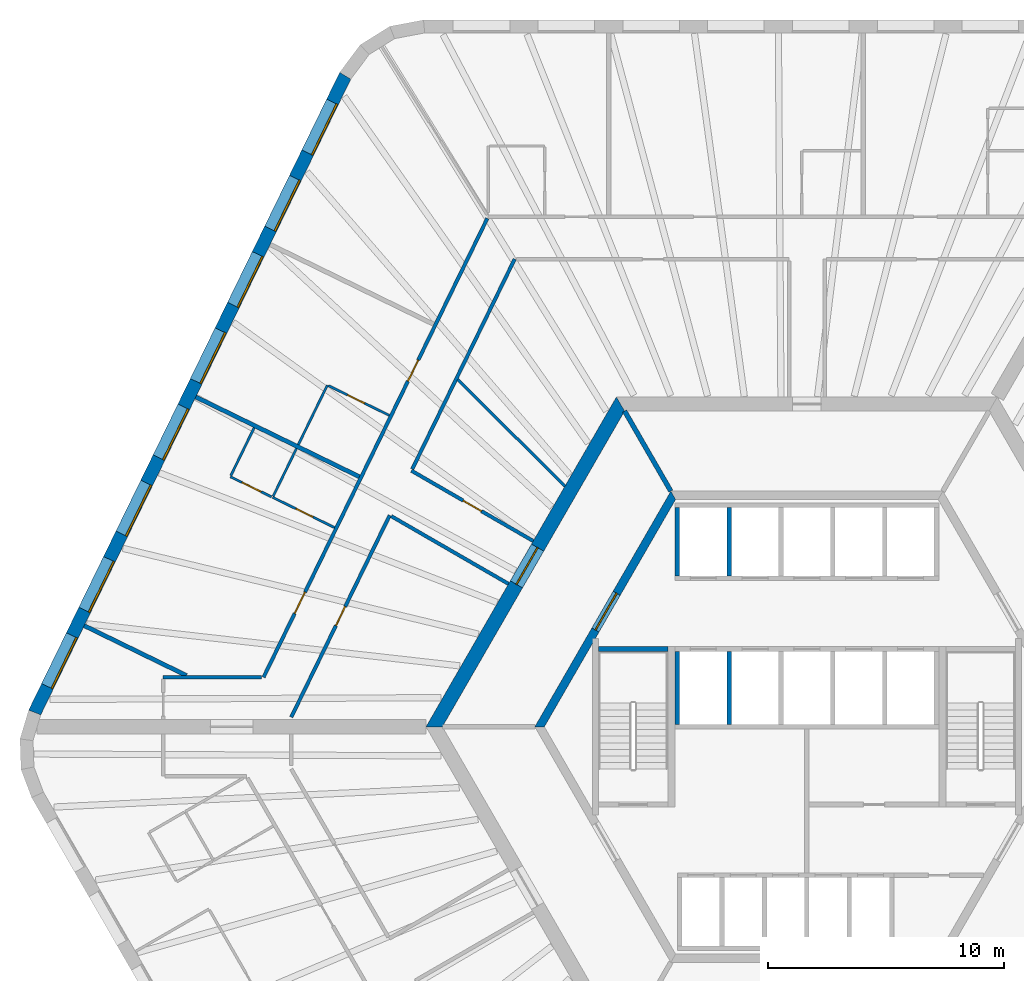
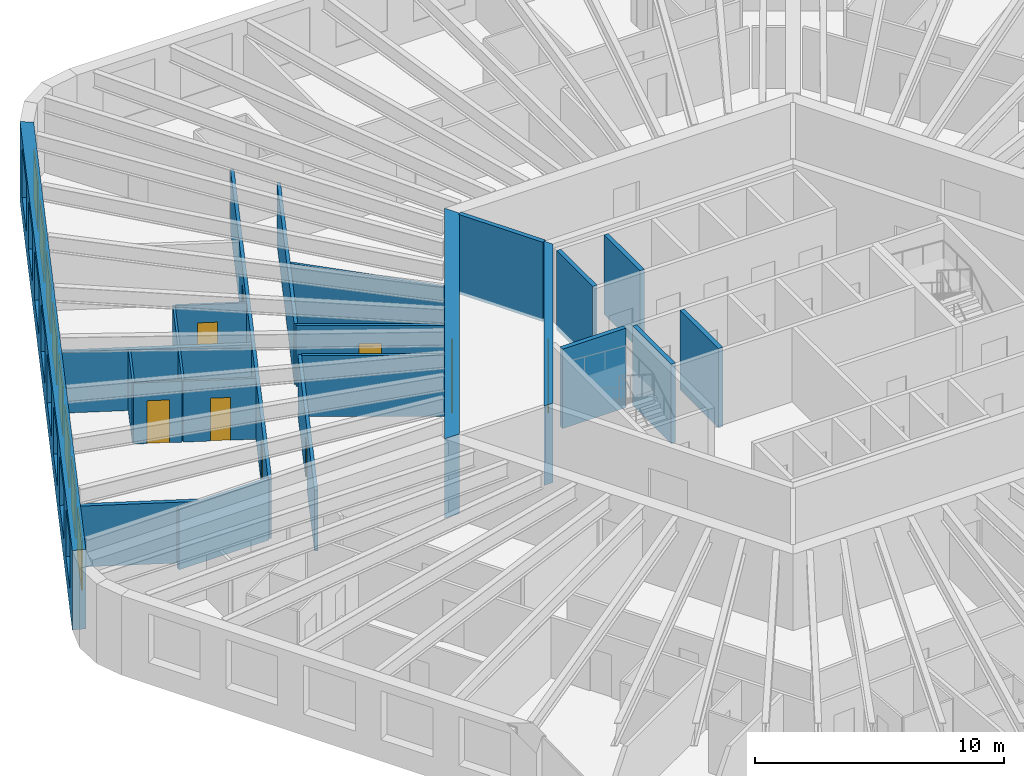
# One storey, part 7 of 12: 24 walls, 9 doors, 8 windows, 17 openings.
"""IFC4 building model written with IfcOpenShell, lengths in metres."""

from ifc_helpers import new_model, si_unit, direction, frame, frame_2d, origin, place, context, subcontext, project, spatial, polyline, rectangle, outline, extrude, material, layer, layer_set, type_object, element, fill, save


model = new_model("IFC4")

# Units and contexts
model_context = context("Model", 3, precision=1e-05, world=origin(), true_north=direction((0.0, 1.0)))
body_context = subcontext(model_context, "Body", "Model", "MODEL_VIEW")
ifc_project = project(units=[si_unit("LENGTHUNIT", "METRE"), si_unit("AREAUNIT", "SQUARE_METRE"), si_unit("VOLUMEUNIT", "CUBIC_METRE"), si_unit("PLANEANGLEUNIT", "RADIAN"), si_unit("MASSUNIT", "GRAM", prefix="KILO")], contexts=[model_context])

# Site, building, storey
site_placement = place(None, origin())
site = spatial("IfcSite", under=ifc_project, at=site_placement, CompositionType="ELEMENT")
building_placement = place(site_placement, origin())
building = spatial("IfcBuilding", under=site, at=building_placement, Name="Tarnside Tower", CompositionType="ELEMENT")
storey_placement = place(building_placement, frame((0.0, 0.0, 84.300048828125)))
storey = spatial("IfcBuildingStorey", under=building, at=storey_placement, Name="L18", CompositionType="ELEMENT", Elevation=84.300048828125)

# Wall
ifc_material_1 = material(Name="Gypsum board partition on steel studs", Category="steel")
ifc_layer_1 = layer(ifc_material_1, 0.10009765625)
ifc_layer_set_1 = layer_set([ifc_layer_1], Name="Bathroom wall 100")
wall_type_1 = type_object("IfcWallType", Name="Bathroom wall 100", PredefinedType="PARTITIONING", material=ifc_layer_set_1)
wall_1_placement = place(storey_placement, frame((-21.5849609375, 11.975341796875, 0.0), z_axis=(0.0, 0.0, 1.0), x_axis=(0.438399667674, 0.898780135174, 0.0)))
element("IfcWall", 1, at=wall_1_placement, inside=storey, type_object=wall_type_1, Name="Bathroom wall 05095", PredefinedType="PARTITIONING", context=body_context, shape_type="SweptSolid", body=[
    extrude(rectangle(XDim=2.81005859375, YDim=0.10009765625, at=frame_2d((1.405029296875, 0.0))), origin(), (0.0, 0.0, 1.0), 2.98779296875),
])

# Wall, opening, door
wall_2_placement = place(storey_placement, frame((-20.30810546875, 14.47900390625, 0.0), z_axis=(0.0, 0.0, 1.0), x_axis=(0.898799457159, -0.438360052708, 0.0)))
wall_2 = element("IfcWall", 2, at=wall_2_placement, inside=storey, type_object=wall_type_1, Name="Bathroom wall 05096", PredefinedType="PARTITIONING", context=body_context, shape_type="SweptSolid", body=[
    extrude(rectangle(XDim=2.875, YDim=0.10009765625, at=frame_2d((1.4375, 0.0))), origin(), (0.0, 0.0, 1.0), 2.98779296875),
])
opening_1_placement = place(wall_2_placement, frame((0.89990234375, 0.0, 0.0)))
opening_1 = element("IfcOpeningElement", 3, at=opening_1_placement, cuts=wall_2, Name="Opening D-B1", PredefinedType="OPENING", context=body_context, shape_type="SweptSolid", body=[
    extrude(rectangle(XDim=0.800048828125, YDim=2.10009765625, at=frame_2d((0.39990234375, 1.050048828125))), frame((0.0, 0.06005859375, 0.0), z_axis=(0.0, -1.0, 0.0), x_axis=(1.0, 0.0, 0.0)), (0.0, 0.0, 1.0), 0.1201171875),
])
ifc_material_2 = material(Name="Timber door leaf", Category="wood")
door_type_1 = type_object("IfcDoorType", Name="Bathroom door 800", OperationType="NOTDEFINED", PredefinedType="DOOR", material=ifc_material_2)
door_1_placement = place(opening_1_placement, origin())
door_1 = element("IfcDoor", 4, at=door_1_placement, inside=storey, type_object=door_type_1, Name="Bathroom door 05010", OperationType="SINGLE_SWING_RIGHT", OverallHeight=2.10009765625, OverallWidth=0.800048828125, PredefinedType="DOOR", context=body_context, shape_type="SweptSolid", body=[
    extrude(rectangle(XDim=0.800048828125, YDim=2.10009765625, at=frame_2d((0.39990234375, 1.050048828125))), frame((0.0, 0.02490234375, 0.0), z_axis=(0.0, -1.0, 0.0), x_axis=(1.0, 0.0, 0.0)), (0.0, 0.0, 1.0), 0.050048828125),
])
fill(opening_1, door_1)

wall_3_placement = place(storey_placement, frame((-20.04736328125, 8.455078125, 0.0), z_axis=(0.0, 0.0, 1.0), x_axis=(-0.89880694479, 0.438344699976, 0.0)))
wall_3 = element("IfcWall", 5, at=wall_3_placement, inside=storey, type_object=wall_type_1, Name="Bathroom wall 05100", PredefinedType="PARTITIONING", context=body_context, shape_type="SweptSolid", body=[
    extrude(rectangle(XDim=2.925048828125, YDim=0.10009765625, at=frame_2d((1.46240234375, 0.0))), origin(), (0.0, 0.0, 1.0), 2.98779296875),
])
opening_2_placement = place(wall_3_placement, frame((1.02490234375, 0.0, 0.0)))
opening_2 = element("IfcOpeningElement", 6, at=opening_2_placement, cuts=wall_3, Name="Opening D-B1", PredefinedType="OPENING", context=body_context, shape_type="SweptSolid", body=[
    extrude(rectangle(XDim=0.800048828125, YDim=2.10009765625, at=frame_2d((0.39990234375, 1.050048828125))), frame((0.0, 0.06005859375, 0.0), z_axis=(0.0, -1.0, 0.0), x_axis=(1.0, 0.0, 0.0)), (0.0, 0.0, 1.0), 0.1201171875),
])
door_2_placement = place(opening_2_placement, origin())
door_2 = element("IfcDoor", 7, at=door_2_placement, inside=storey, type_object=door_type_1, Name="Bathroom door 05012", OperationType="SINGLE_SWING_RIGHT", OverallHeight=2.10009765625, OverallWidth=0.800048828125, PredefinedType="DOOR", context=body_context, shape_type="SweptSolid", body=[
    extrude(rectangle(XDim=0.800048828125, YDim=2.10009765625, at=frame_2d((0.39990234375, 1.050048828125))), frame((0.0, 0.02490234375, 0.0), z_axis=(0.0, -1.0, 0.0), x_axis=(1.0, 0.0, 0.0)), (0.0, 0.0, 1.0), 0.050048828125),
])
fill(opening_2, door_2)

# Wall
wall_4_placement = place(storey_placement, frame((-21.663818359375, 11.8134765625, 0.0), z_axis=(0.0, 0.0, 1.0), x_axis=(-0.438376807268, -0.898791285477, 0.0)))
element("IfcWall", 8, at=wall_4_placement, inside=storey, type_object=wall_type_1, Name="Bathroom wall 05104", PredefinedType="PARTITIONING", context=body_context, shape_type="SweptSolid", body=[
    extrude(rectangle(XDim=2.260009765625, YDim=0.10009765625, at=frame_2d((1.1298828125, 0.0))), origin(), (0.0, 0.0, 1.0), 2.98779296875),
])

# Wall, opening, door
ifc_material_3 = material(Name="Concrete C50/60", Category="concrete")
ifc_layer_2 = layer(ifc_material_3, 0.35009765625)
ifc_layer_set_2 = layer_set([ifc_layer_2], Name="Core block wall 350 C50/60")
wall_type_2 = type_object("IfcWallType", Name="Core block wall 350 C50/60", PredefinedType="SHEAR", material=ifc_layer_set_2)
wall_5_placement = place(storey_placement, frame((-5.672607421875, 9.824951171875, -0.150146484375), z_axis=(0.0, 0.0, 1.0), x_axis=(-0.499995046907, -0.866028263435, 0.0)))
wall_5 = element("IfcWall", 9, at=wall_5_placement, inside=storey, type_object=wall_type_2, Name="L18 core block wall face 2", PredefinedType="SHEAR", context=body_context, shape_type="SweptSolid", body=[
    extrude(outline(polyline([(-0.10107421875, -0.175048828125), (11.44580078125, -0.175048828125), (11.24365234375, 0.175048828125), (0.10107421875, 0.175048828125), (-0.10107421875, -0.175048828125)])), origin(), (0.0, 0.0, 1.0), 3.900146484375),
])
opening_3_placement = place(wall_5_placement, frame((4.80126953125, 0.0, 0.14990234375)))
opening_3 = element("IfcOpeningElement", 10, at=opening_3_placement, cuts=wall_5, Name="Opening CD-LOB", PredefinedType="OPENING", context=body_context, shape_type="SweptSolid", body=[
    extrude(rectangle(XDim=1.800048828125, YDim=2.39990234375, at=frame_2d((0.89990234375, 1.199951171875))), frame((0.0, 0.18505859375, 0.0), z_axis=(0.0, -1.0, 0.0), x_axis=(1.0, 0.0, 0.0)), (0.0, 0.0, 1.0), 0.3701171875),
])
ifc_material_4 = material(Name="Steel fire door", Category="steel")
door_type_2 = type_object("IfcDoorType", Name="Lobby double door FD30S 1800x2400", OperationType="NOTDEFINED", PredefinedType="DOOR", material=ifc_material_4)
door_3_placement = place(opening_3_placement, origin())
door_3 = element("IfcDoor", 11, at=door_3_placement, inside=storey, type_object=door_type_2, Name="L18 lobby block door P1", OperationType="DOUBLE_DOOR_SINGLE_SWING", OverallHeight=2.39990234375, OverallWidth=1.800048828125, PredefinedType="DOOR", context=body_context, shape_type="SweptSolid", body=[
    extrude(rectangle(XDim=1.800048828125, YDim=2.39990234375, at=frame_2d((0.89990234375, 1.199951171875))), frame((0.0, 0.02490234375, 0.0), z_axis=(0.0, -1.0, 0.0), x_axis=(1.0, 0.0, 0.0)), (0.0, 0.0, 1.0), 0.050048828125),
])
fill(opening_3, door_3)

ifc_material_5 = material(Name="Concrete C80/95", Category="concrete")
ifc_layer_3 = layer(ifc_material_5, 0.60009765625)
ifc_layer_set_3 = layer_set([ifc_layer_3], Name="Core wall Z1 600 C80/95")
wall_type_3 = type_object("IfcWallType", Name="Core wall Z1 600 C80/95", PredefinedType="SHEAR", material=ifc_layer_set_3)
wall_6_placement = place(storey_placement, frame((-7.90966796875, 13.699951171875, -0.150146484375), z_axis=(0.0, 0.0, 1.0), x_axis=(-0.499999880136, -0.866025472988, 0.0)))
wall_6 = element("IfcWall", 12, at=wall_6_placement, inside=storey, type_object=wall_type_3, Name="L18 core wall face 2", PredefinedType="SHEAR", context=body_context, shape_type="SweptSolid", body=[
    extrude(outline(polyline([(-0.17333984375, -0.300048828125), (15.99267578125, -0.300048828125), (15.64599609375, 0.300048828125), (0.17333984375, 0.300048828125), (-0.17333984375, -0.300048828125)])), origin(), (0.0, 0.0, 1.0), 3.900146484375),
])
opening_4_placement = place(wall_6_placement, frame((7.03857421875, 0.0, 0.14990234375)))
opening_4 = element("IfcOpeningElement", 13, at=opening_4_placement, cuts=wall_6, Name="Opening CD-LOB", PredefinedType="OPENING", context=body_context, shape_type="SweptSolid", body=[
    extrude(rectangle(XDim=1.800048828125, YDim=2.39990234375, at=frame_2d((0.89990234375, 1.199951171875))), frame((0.0, 0.31005859375, 0.0), z_axis=(0.0, -1.0, 0.0), x_axis=(1.0, 0.0, 0.0)), (0.0, 0.0, 1.0), 0.6201171875),
])
door_4_placement = place(opening_4_placement, origin())
door_4 = element("IfcDoor", 14, at=door_4_placement, inside=storey, type_object=door_type_2, Name="L18 core door P1", OperationType="DOUBLE_DOOR_SINGLE_SWING", OverallHeight=2.39990234375, OverallWidth=1.800048828125, PredefinedType="DOOR", context=body_context, shape_type="SweptSolid", body=[
    extrude(rectangle(XDim=1.800048828125, YDim=2.39990234375, at=frame_2d((0.89990234375, 1.199951171875))), frame((0.0, 0.02490234375, 0.0), z_axis=(0.0, -1.0, 0.0), x_axis=(1.0, 0.0, 0.0)), (0.0, 0.0, 1.0), 0.050048828125),
])
fill(opening_4, door_4)

# Wall, openings, doors
ifc_layer_4 = layer(ifc_material_1, 0.14990234375)
ifc_layer_set_4 = layer_set([ifc_layer_4], Name="Corridor wall 150 EI 60")
wall_type_4 = type_object("IfcWallType", Name="Corridor wall 150 EI 60", PredefinedType="PARTITIONING", material=ifc_layer_set_4)
wall_7_placement = place(storey_placement, frame((-13.56494140625, 21.574951171875, 0.0), z_axis=(0.0, 0.0, 1.0), x_axis=(-0.438380787243, -0.898789344272, 0.0)))
wall_7 = element("IfcWall", 15, at=wall_7_placement, inside=storey, type_object=wall_type_4, Name="Corridor wall 05009", PredefinedType="PARTITIONING", context=body_context, shape_type="SweptSolid", body=[
    extrude(rectangle(XDim=21.66796875, YDim=0.14990234375, at=frame_2d((10.833984375, 0.0))), origin(), (0.0, 0.0, 1.0), 2.98779296875),
])
opening_5_placement = place(wall_7_placement, frame((6.683837890625, 0.0, 0.0)))
opening_5 = element("IfcOpeningElement", 16, at=opening_5_placement, cuts=wall_7, Name="Opening D-E1", PredefinedType="OPENING", context=body_context, shape_type="SweptSolid", body=[
    extrude(rectangle(XDim=1.0, YDim=2.10009765625, at=frame_2d((0.5, 1.050048828125))), frame((0.0, 0.0849609375, 0.0), z_axis=(0.0, -1.0, 0.0), x_axis=(1.0, 0.0, 0.0)), (0.0, 0.0, 1.0), 0.169921875),
])
opening_6_placement = place(wall_7_placement, frame((17.65087890625, 0.0, 0.0)))
opening_6 = element("IfcOpeningElement", 17, at=opening_6_placement, cuts=wall_7, Name="Opening D-E1", PredefinedType="OPENING", context=body_context, shape_type="SweptSolid", body=[
    extrude(rectangle(XDim=1.0, YDim=2.10009765625, at=frame_2d((0.5, 1.050048828125))), frame((0.0, 0.0849609375, 0.0), z_axis=(0.0, -1.0, 0.0), x_axis=(1.0, 0.0, 0.0)), (0.0, 0.0, 1.0), 0.169921875),
])
door_type_3 = type_object("IfcDoorType", Name="Unit entrance door 1000 FD30S", OperationType="NOTDEFINED", PredefinedType="DOOR", material=ifc_material_2)
door_5_placement = place(opening_5_placement, origin())
door_5 = element("IfcDoor", 18, at=door_5_placement, inside=storey, type_object=door_type_3, Name="Unit door 05009", OperationType="SINGLE_SWING_LEFT", OverallHeight=2.10009765625, OverallWidth=1.0, PredefinedType="DOOR", context=body_context, shape_type="SweptSolid", body=[
    extrude(rectangle(XDim=1.0, YDim=2.10009765625, at=frame_2d((0.5, 1.050048828125))), frame((0.0, 0.02490234375, 0.0), z_axis=(0.0, -1.0, 0.0), x_axis=(1.0, 0.0, 0.0)), (0.0, 0.0, 1.0), 0.050048828125),
])
fill(opening_5, door_5)
door_6_placement = place(opening_6_placement, origin())
door_6 = element("IfcDoor", 19, at=door_6_placement, inside=storey, type_object=door_type_3, Name="Unit door 05011", OperationType="SINGLE_SWING_LEFT", OverallHeight=2.10009765625, OverallWidth=1.0, PredefinedType="DOOR", context=body_context, shape_type="SweptSolid", body=[
    extrude(rectangle(XDim=1.0, YDim=2.10009765625, at=frame_2d((0.5, 1.050048828125))), frame((0.0, 0.02490234375, 0.0), z_axis=(0.0, -1.0, 0.0), x_axis=(1.0, 0.0, 0.0)), (0.0, 0.0, 1.0), 0.050048828125),
])
fill(opening_6, door_6)

# Walls
wall_8_placement = place(storey_placement, frame((-23.14697265625, 2.10009765625, 0.0), z_axis=(0.0, 0.0, 1.0), x_axis=(-1.0, 0.0, 0.0)))
element("IfcWall", 20, at=wall_8_placement, inside=storey, type_object=wall_type_4, Name="Corridor wall 05013", PredefinedType="PARTITIONING", context=body_context, shape_type="SweptSolid", body=[
    extrude(rectangle(XDim=4.17333984375, YDim=0.14990234375, at=frame_2d((2.086669921875, 0.0))), origin(), (0.0, 0.0, 1.0), 2.98779296875),
])
wall_9_placement = place(storey_placement, frame((-16.7509765625, 10.936767578125, 0.0), z_axis=(0.0, 0.0, 1.0), x_axis=(0.438378523504, 0.898790448397, 0.0)))
element("IfcWall", 21, at=wall_9_placement, inside=storey, type_object=wall_type_4, Name="Corridor wall 05017", PredefinedType="PARTITIONING", context=body_context, shape_type="SweptSolid", body=[
    extrude(rectangle(XDim=9.9169921875, YDim=0.14990234375, at=frame_2d((4.95849609375, 0.0))), origin(), (0.0, 0.0, 1.0), 2.98779296875),
])

# Wall, opening, door
wall_10_placement = place(storey_placement, frame((-11.61376953125, 7.88427734375, 0.0), z_axis=(0.0, 0.0, 1.0), x_axis=(-0.86603508376, 0.499983233416, 0.0)))
wall_10 = element("IfcWall", 22, at=wall_10_placement, inside=storey, type_object=wall_type_4, Name="Corridor wall 05020", PredefinedType="PARTITIONING", context=body_context, shape_type="SweptSolid", body=[
    extrude(rectangle(XDim=5.969970703125, YDim=0.14990234375, at=frame_2d((2.98486328125, 0.0))), origin(), (0.0, 0.0, 1.0), 2.98779296875),
])
opening_7_placement = place(wall_10_placement, frame((2.534912109375, 0.0, 0.0)))
opening_7 = element("IfcOpeningElement", 23, at=opening_7_placement, cuts=wall_10, Name="Opening D-S1", PredefinedType="OPENING", context=body_context, shape_type="SweptSolid", body=[
    extrude(rectangle(XDim=0.89990234375, YDim=2.10009765625, at=frame_2d((0.449951171875, 1.050048828125))), frame((0.0, 0.0849609375, 0.0), z_axis=(0.0, -1.0, 0.0), x_axis=(1.0, 0.0, 0.0)), (0.0, 0.0, 1.0), 0.169921875),
])
door_type_4 = type_object("IfcDoorType", Name="Service room door 900 FD30S", OperationType="NOTDEFINED", PredefinedType="DOOR", material=ifc_material_2)
door_7_placement = place(opening_7_placement, origin())
door_7 = element("IfcDoor", 24, at=door_7_placement, inside=storey, type_object=door_type_4, Name="Service door 05042", OperationType="SINGLE_SWING_RIGHT", OverallHeight=2.10009765625, OverallWidth=0.89990234375, PredefinedType="DOOR", context=body_context, shape_type="SweptSolid", body=[
    extrude(rectangle(XDim=0.89990234375, YDim=2.10009765625, at=frame_2d((0.449951171875, 1.050048828125))), frame((0.0, 0.02490234375, 0.0), z_axis=(0.0, -1.0, 0.0), x_axis=(1.0, 0.0, 0.0)), (0.0, 0.0, 1.0), 0.050048828125),
])
fill(opening_7, door_7)

wall_11_placement = place(storey_placement, frame((-21.88525390625, 0.41015625, 0.0), z_axis=(0.0, 0.0, 1.0), x_axis=(0.43837064471, 0.898794291179, 0.0)))
wall_11 = element("IfcWall", 25, at=wall_11_placement, inside=storey, type_object=wall_type_4, Name="Corridor wall 05025", PredefinedType="PARTITIONING", context=body_context, shape_type="SweptSolid", body=[
    extrude(rectangle(XDim=9.53173828125, YDim=0.14990234375, at=frame_2d((4.765869140625, 0.0))), origin(), (0.0, 0.0, 1.0), 2.98779296875),
])
opening_8_placement = place(wall_11_placement, frame((4.31591796875, 0.0, 0.0)))
opening_8 = element("IfcOpeningElement", 26, at=opening_8_placement, cuts=wall_11, Name="Opening D-S1", PredefinedType="OPENING", context=body_context, shape_type="SweptSolid", body=[
    extrude(rectangle(XDim=0.89990234375, YDim=2.10009765625, at=frame_2d((0.449951171875, 1.050048828125))), frame((0.0, 0.0849609375, 0.0), z_axis=(0.0, -1.0, 0.0), x_axis=(1.0, 0.0, 0.0)), (0.0, 0.0, 1.0), 0.169921875),
])
door_8_placement = place(opening_8_placement, origin())
door_8 = element("IfcDoor", 27, at=door_8_placement, inside=storey, type_object=door_type_4, Name="Service door 05044", OperationType="SINGLE_SWING_RIGHT", OverallHeight=2.10009765625, OverallWidth=0.89990234375, PredefinedType="DOOR", context=body_context, shape_type="SweptSolid", body=[
    extrude(rectangle(XDim=0.89990234375, YDim=2.10009765625, at=frame_2d((0.449951171875, 1.050048828125))), frame((0.0, 0.02490234375, 0.0), z_axis=(0.0, -1.0, 0.0), x_axis=(1.0, 0.0, 0.0)), (0.0, 0.0, 1.0), 0.050048828125),
])
fill(opening_8, door_8)

# Walls
wall_12_placement = place(storey_placement, frame((-17.6416015625, 8.939697265625, 0.0), z_axis=(0.0, 0.0, 1.0), x_axis=(0.866017948234, -0.500012913169, 0.0)))
element("IfcWall", 28, at=wall_12_placement, inside=storey, type_object=wall_type_4, Name="Corridor wall 05026", PredefinedType="PARTITIONING", context=body_context, shape_type="SweptSolid", body=[
    extrude(rectangle(XDim=5.747802734375, YDim=0.14990234375, at=frame_2d((2.8740234375, 0.0))), origin(), (0.0, 0.0, 1.0), 2.98779296875),
])
ifc_layer_5 = layer(ifc_material_1, 0.179931640625)
ifc_layer_set_5 = layer_set([ifc_layer_5], Name="Demising wall 180 EI 60")
wall_type_5 = type_object("IfcWallType", Name="Demising wall 180 EI 60", PredefinedType="PARTITIONING", material=ifc_layer_set_5)
wall_13_placement = place(storey_placement, frame((-25.9384765625, 13.99853515625, 0.0), z_axis=(0.0, 0.0, 1.0), x_axis=(0.898789402655, -0.438380667542, 0.0)))
element("IfcWall", 29, at=wall_13_placement, inside=storey, type_object=wall_type_5, Name="Demising wall 05097", PredefinedType="PARTITIONING", context=body_context, shape_type="SweptSolid", body=[
    extrude(rectangle(XDim=7.724853515625, YDim=0.179931640625, at=frame_2d((3.8623046875, 0.0))), origin(), (0.0, 0.0, 1.0), 2.98779296875),
])
wall_14_placement = place(storey_placement, frame((-30.673095703125, 4.29150390625, 0.0), z_axis=(0.0, 0.0, 1.0), x_axis=(0.898812662672, -0.438332975512, 0.0)))
element("IfcWall", 30, at=wall_14_placement, inside=storey, type_object=wall_type_5, Name="Demising wall 05103", PredefinedType="PARTITIONING", context=body_context, shape_type="SweptSolid", body=[
    extrude(rectangle(XDim=4.828369140625, YDim=0.179931640625, at=frame_2d((2.4140625, 0.0))), origin(), (0.0, 0.0, 1.0), 2.98779296875),
])
ifc_material_6 = material(Name="Concrete C40/50", Category="concrete")
ifc_layer_6 = layer(ifc_material_6, 0.199951171875)
ifc_layer_set_6 = layer_set([ifc_layer_6], Name="Lift shaft wall 200 C40/50")
wall_type_6 = type_object("IfcWallType", Name="Lift shaft wall 200 C40/50", PredefinedType="SHEAR", material=ifc_layer_set_6)
for number, where, z_axis, x_axis, name in (
    (31, (-5.5, 6.39990234375, -0.25), (0.0, 0.0, 1.0), (0.0, 1.0, 0.0), "L18 lift shaft partition R11"),
    (32, (-3.300048828125, 6.39990234375, -0.25), (0.0, 0.0, 1.0), (0.0, 1.0, 0.0), "L18 lift shaft partition R12"),
):
    element("IfcWall", number, at=place(storey_placement, frame(where, z_axis=z_axis, x_axis=x_axis)), inside=storey, type_object=wall_type_6, Name=name, PredefinedType="SHEAR", context=body_context, shape_type="SweptSolid", body=[
        extrude(rectangle(XDim=2.900146484375, YDim=0.199951171875, at=frame_2d((1.4501953125, 0.0))), origin(), (0.0, 0.0, 1.0), 3.89990234375),
    ])
for number, where, z_axis, x_axis, name in (
    (33, (-5.5, 0.10009765625, -0.25), (0.0, 0.0, 1.0), (0.0, 1.0, 0.0), "L18 lift shaft partition R21"),
    (34, (-3.300048828125, 0.10009765625, -0.25), (0.0, 0.0, 1.0), (0.0, 1.0, 0.0), "L18 lift shaft partition R22"),
):
    element("IfcWall", number, at=place(storey_placement, frame(where, z_axis=z_axis, x_axis=x_axis)), inside=storey, type_object=wall_type_6, Name=name, PredefinedType="SHEAR", context=body_context, shape_type="SweptSolid", body=[
        extrude(rectangle(XDim=3.099853515625, YDim=0.199951171875, at=frame_2d((1.5498046875, 0.0))), origin(), (0.0, 0.0, 1.0), 3.89990234375),
    ])
wall_15_placement = place(storey_placement, frame((-5.7734375, 10.0, -0.150146484375), z_axis=(0.0, 0.0, 1.0), x_axis=(-0.500038251005, 0.86600331843, 0.0)))
element("IfcWall", 35, at=wall_15_placement, inside=storey, type_object=wall_type_6, Name="L18 core partition AR120", PredefinedType="SHEAR", context=body_context, shape_type="SweptSolid", body=[
    extrude(rectangle(XDim=3.926025390625, YDim=0.199951171875, at=frame_2d((1.962890625, 0.0))), origin(), (0.0, 0.0, 1.0), 3.900146484375),
])
wall_16_placement = place(storey_placement, frame((-8.85009765625, 3.300048828125, -0.25), z_axis=(0.0, 0.0, 1.0), x_axis=(1.0, 0.0, 0.0)))
element("IfcWall", 36, at=wall_16_placement, inside=storey, type_object=wall_type_6, Name="L18 stair 2 enclosure cap wall n", PredefinedType="SHEAR", context=body_context, shape_type="SweptSolid", body=[
    extrude(rectangle(XDim=2.9501953125, YDim=0.199951171875, at=frame_2d((1.47509765625, 0.0))), origin(), (0.0, 0.0, 1.0), 3.89990234375),
])

# Wall, opening, door
ifc_layer_7 = layer(ifc_material_1, 0.10009765625)
ifc_layer_set_7 = layer_set([ifc_layer_7], Name="Partition 100")
wall_type_7 = type_object("IfcWallType", Name="Partition 100", PredefinedType="PARTITIONING", material=ifc_layer_set_7)
wall_17_placement = place(storey_placement, frame((-22.721435546875, 9.75927734375, 0.0), z_axis=(0.0, 0.0, 1.0), x_axis=(-0.898815368173, 0.438327427772, 0.0)))
wall_17 = element("IfcWall", 37, at=wall_17_placement, inside=storey, type_object=wall_type_7, Name="Partition wall 05101", PredefinedType="PARTITIONING", context=body_context, shape_type="SweptSolid", body=[
    extrude(rectangle(XDim=1.949951171875, YDim=0.10009765625, at=frame_2d((0.97509765625, 0.0))), origin(), (0.0, 0.0, 1.0), 2.98779296875),
])
opening_9_placement = place(wall_17_placement, frame((0.5, 0.0, 0.0)))
opening_9 = element("IfcOpeningElement", 38, at=opening_9_placement, cuts=wall_17, Name="Opening D-I1", PredefinedType="OPENING", context=body_context, shape_type="SweptSolid", body=[
    extrude(rectangle(XDim=0.89990234375, YDim=2.10009765625, at=frame_2d((0.449951171875, 1.050048828125))), frame((0.0, 0.06005859375, 0.0), z_axis=(0.0, -1.0, 0.0), x_axis=(1.0, 0.0, 0.0)), (0.0, 0.0, 1.0), 0.1201171875),
])
door_type_5 = type_object("IfcDoorType", Name="Internal door 900", OperationType="NOTDEFINED", PredefinedType="DOOR", material=ifc_material_2)
door_9_placement = place(opening_9_placement, origin())
door_9 = element("IfcDoor", 39, at=door_9_placement, inside=storey, type_object=door_type_5, Name="Internal door 05013", OperationType="SINGLE_SWING_RIGHT", OverallHeight=2.10009765625, OverallWidth=0.89990234375, PredefinedType="DOOR", context=body_context, shape_type="SweptSolid", body=[
    extrude(rectangle(XDim=0.89990234375, YDim=2.10009765625, at=frame_2d((0.449951171875, 1.050048828125))), frame((0.0, 0.02490234375, 0.0), z_axis=(0.0, -1.0, 0.0), x_axis=(1.0, 0.0, 0.0)), (0.0, 0.0, 1.0), 0.050048828125),
])
fill(opening_9, door_9)

# Walls
wall_18_placement = place(storey_placement, frame((-24.4521484375, 10.658935546875, 0.0), z_axis=(0.0, 0.0, 1.0), x_axis=(0.438376807268, 0.898791285477, 0.0)))
element("IfcWall", 40, at=wall_18_placement, inside=storey, type_object=wall_type_7, Name="Partition wall 05102", PredefinedType="PARTITIONING", context=body_context, shape_type="SweptSolid", body=[
    extrude(rectangle(XDim=2.260009765625, YDim=0.10009765625, at=frame_2d((1.1298828125, 0.0))), origin(), (0.0, 0.0, 1.0), 2.98779296875),
])
ifc_layer_8 = layer(ifc_material_1, 0.1201171875)
ifc_layer_set_8 = layer_set([ifc_layer_8], Name="Service room wall 120 EI 60")
wall_type_8 = type_object("IfcWallType", Name="Service room wall 120 EI 60", PredefinedType="PARTITIONING", material=ifc_layer_set_8)
wall_19_placement = place(storey_placement, frame((-14.8154296875, 14.73388671875, 0.0), z_axis=(0.0, 0.0, 1.0), x_axis=(0.709046184876, -0.705162043584, 0.0)))
element("IfcWall", 41, at=wall_19_placement, inside=storey, type_object=wall_type_8, Name="Service wall 05159", PredefinedType="PARTITIONING", context=body_context, shape_type="SweptSolid", body=[
    extrude(rectangle(XDim=6.411376953125, YDim=0.1201171875, at=frame_2d((3.20556640625, 0.0))), origin(), (0.0, 0.0, 1.0), 2.98779296875),
])

# Wall, openings, windows
ifc_material_7 = material(Name="Facing brick", Category="masonry")
ifc_layer_9 = layer(ifc_material_7, 0.10205078125)
ifc_material_8 = material(Name="Concrete C60/75 precast", Category="concrete")
ifc_layer_10 = layer(ifc_material_8, 0.347900390625)
ifc_material_9 = material(Name="Mineral wool insulation")
ifc_layer_11 = layer(ifc_material_9, 0.10009765625)
ifc_layer_set_9 = layer_set([ifc_layer_9, ifc_layer_10, ifc_layer_11], Name="Tube wall 550 brick faced")
wall_type_9 = type_object("IfcWallType", Name="Tube wall 550 brick faced", PredefinedType="SOLIDWALL", material=ifc_layer_set_9)
wall_20_placement = place(storey_placement, frame((-19.5947265625, 27.6328125, -0.150146484375), z_axis=(0.0, 0.0, 1.0), x_axis=(-0.438368285794, -0.898795441694, 0.0)))
wall_20 = element("IfcWall", 42, at=wall_20_placement, inside=storey, type_object=wall_type_9, Name="Tube wall L18 F2 flush 04", PredefinedType="SOLIDWALL", context=body_context, shape_type="SweptSolid", body=[
    extrude(outline(polyline([(-0.025634765625, -0.27490234375), (30.09326171875, -0.27490234375), (30.04833984375, 0.27490234375), (0.025634765625, 0.27490234375), (-0.025634765625, -0.27490234375)])), origin(), (0.0, 0.0, 1.0), 3.900146484375),
])
opening_10_placement = place(wall_20_placement, frame((1.235595703125, 0.0, 1.050048828125)))
opening_10 = element("IfcOpeningElement", 43, at=opening_10_placement, cuts=wall_20, Name="Opening WH", PredefinedType="OPENING", context=body_context, shape_type="SweptSolid", body=[
    extrude(rectangle(XDim=2.39990234375, YDim=2.39990234375, at=frame_2d((1.199951171875, 1.199951171875))), frame((0.0, 0.28515625, 0.0), z_axis=(0.0, -1.0, 0.0), x_axis=(1.0, 0.0, 0.0)), (0.0, 0.0, 1.0), 0.570068359375),
])
opening_11_placement = place(wall_20_placement, frame((4.83544921875, 0.0, 1.050048828125)))
opening_11 = element("IfcOpeningElement", 44, at=opening_11_placement, cuts=wall_20, Name="Opening WH", PredefinedType="OPENING", context=body_context, shape_type="SweptSolid", body=[
    extrude(rectangle(XDim=2.39990234375, YDim=2.39990234375, at=frame_2d((1.199951171875, 1.199951171875))), frame((0.0, 0.28515625, 0.0), z_axis=(0.0, -1.0, 0.0), x_axis=(1.0, 0.0, 0.0)), (0.0, 0.0, 1.0), 0.570068359375),
])
opening_12_placement = place(wall_20_placement, frame((8.435546875, 0.0, 1.050048828125)))
opening_12 = element("IfcOpeningElement", 45, at=opening_12_placement, cuts=wall_20, Name="Opening WH", PredefinedType="OPENING", context=body_context, shape_type="SweptSolid", body=[
    extrude(rectangle(XDim=2.39990234375, YDim=2.39990234375, at=frame_2d((1.199951171875, 1.199951171875))), frame((0.0, 0.28515625, 0.0), z_axis=(0.0, -1.0, 0.0), x_axis=(1.0, 0.0, 0.0)), (0.0, 0.0, 1.0), 0.570068359375),
])
opening_13_placement = place(wall_20_placement, frame((12.035400390625, 0.0, 1.050048828125)))
opening_13 = element("IfcOpeningElement", 46, at=opening_13_placement, cuts=wall_20, Name="Opening WH", PredefinedType="OPENING", context=body_context, shape_type="SweptSolid", body=[
    extrude(rectangle(XDim=2.39990234375, YDim=2.39990234375, at=frame_2d((1.199951171875, 1.199951171875))), frame((0.0, 0.28515625, 0.0), z_axis=(0.0, -1.0, 0.0), x_axis=(1.0, 0.0, 0.0)), (0.0, 0.0, 1.0), 0.570068359375),
])
opening_14_placement = place(wall_20_placement, frame((15.635498046875, 0.0, 1.050048828125)))
opening_14 = element("IfcOpeningElement", 47, at=opening_14_placement, cuts=wall_20, Name="Opening WH", PredefinedType="OPENING", context=body_context, shape_type="SweptSolid", body=[
    extrude(rectangle(XDim=2.39990234375, YDim=2.39990234375, at=frame_2d((1.199951171875, 1.199951171875))), frame((0.0, 0.28515625, 0.0), z_axis=(0.0, -1.0, 0.0), x_axis=(1.0, 0.0, 0.0)), (0.0, 0.0, 1.0), 0.570068359375),
])
opening_15_placement = place(wall_20_placement, frame((19.235595703125, 0.0, 1.050048828125)))
opening_15 = element("IfcOpeningElement", 48, at=opening_15_placement, cuts=wall_20, Name="Opening WH", PredefinedType="OPENING", context=body_context, shape_type="SweptSolid", body=[
    extrude(rectangle(XDim=2.39990234375, YDim=2.39990234375, at=frame_2d((1.199951171875, 1.199951171875))), frame((0.0, 0.28515625, 0.0), z_axis=(0.0, -1.0, 0.0), x_axis=(1.0, 0.0, 0.0)), (0.0, 0.0, 1.0), 0.570068359375),
])
opening_16_placement = place(wall_20_placement, frame((22.83544921875, 0.0, 1.050048828125)))
opening_16 = element("IfcOpeningElement", 49, at=opening_16_placement, cuts=wall_20, Name="Opening WH", PredefinedType="OPENING", context=body_context, shape_type="SweptSolid", body=[
    extrude(rectangle(XDim=2.39990234375, YDim=2.39990234375, at=frame_2d((1.199951171875, 1.199951171875))), frame((0.0, 0.28515625, 0.0), z_axis=(0.0, -1.0, 0.0), x_axis=(1.0, 0.0, 0.0)), (0.0, 0.0, 1.0), 0.570068359375),
])
opening_17_placement = place(wall_20_placement, frame((26.435546875, 0.0, 1.050048828125)))
opening_17 = element("IfcOpeningElement", 50, at=opening_17_placement, cuts=wall_20, Name="Opening WH", PredefinedType="OPENING", context=body_context, shape_type="SweptSolid", body=[
    extrude(rectangle(XDim=2.39990234375, YDim=2.39990234375, at=frame_2d((1.199951171875, 1.199951171875))), frame((0.0, 0.28515625, 0.0), z_axis=(0.0, -1.0, 0.0), x_axis=(1.0, 0.0, 0.0)), (0.0, 0.0, 1.0), 0.570068359375),
])
ifc_material_10 = material(Name="Aluminium-framed double glazing", Category="aluminium")
window_type = type_object("IfcWindowType", Name="Hotel window 2400 x 2400", PartitioningType="DOUBLE_PANEL_VERTICAL", PredefinedType="WINDOW", material=ifc_material_10)
window_1_placement = place(opening_10_placement, frame((0.0, 0.205078125, 0.0)))
window_1 = element("IfcWindow", 51, at=window_1_placement, inside=storey, type_object=window_type, Name="E.WN.L18.F2.00", OverallHeight=2.39990234375, OverallWidth=2.39990234375, PartitioningType="DOUBLE_PANEL_VERTICAL", PredefinedType="WINDOW", context=body_context, shape_type="SweptSolid", body=[
    extrude(rectangle(XDim=2.39990234375, YDim=2.39990234375, at=frame_2d((1.199951171875, 1.199951171875))), frame((0.0, 0.030029296875, 0.0), z_axis=(0.0, -1.0, 0.0), x_axis=(1.0, 0.0, 0.0)), (0.0, 0.0, 1.0), 0.06005859375),
])
fill(opening_10, window_1)
window_2_placement = place(opening_11_placement, frame((0.0, 0.205078125, 0.0)))
window_2 = element("IfcWindow", 52, at=window_2_placement, inside=storey, type_object=window_type, Name="E.WN.L18.F2.01", OverallHeight=2.39990234375, OverallWidth=2.39990234375, PartitioningType="DOUBLE_PANEL_VERTICAL", PredefinedType="WINDOW", context=body_context, shape_type="SweptSolid", body=[
    extrude(rectangle(XDim=2.39990234375, YDim=2.39990234375, at=frame_2d((1.199951171875, 1.199951171875))), frame((0.0, 0.030029296875, 0.0), z_axis=(0.0, -1.0, 0.0), x_axis=(1.0, 0.0, 0.0)), (0.0, 0.0, 1.0), 0.06005859375),
])
fill(opening_11, window_2)
window_3_placement = place(opening_12_placement, frame((0.0, 0.205078125, 0.0)))
window_3 = element("IfcWindow", 53, at=window_3_placement, inside=storey, type_object=window_type, Name="E.WN.L18.F2.02", OverallHeight=2.39990234375, OverallWidth=2.39990234375, PartitioningType="DOUBLE_PANEL_VERTICAL", PredefinedType="WINDOW", context=body_context, shape_type="SweptSolid", body=[
    extrude(rectangle(XDim=2.39990234375, YDim=2.39990234375, at=frame_2d((1.199951171875, 1.199951171875))), frame((0.0, 0.030029296875, 0.0), z_axis=(0.0, -1.0, 0.0), x_axis=(1.0, 0.0, 0.0)), (0.0, 0.0, 1.0), 0.06005859375),
])
fill(opening_12, window_3)
window_4_placement = place(opening_13_placement, frame((0.0, 0.205078125, 0.0)))
window_4 = element("IfcWindow", 54, at=window_4_placement, inside=storey, type_object=window_type, Name="E.WN.L18.F2.03", OverallHeight=2.39990234375, OverallWidth=2.39990234375, PartitioningType="DOUBLE_PANEL_VERTICAL", PredefinedType="WINDOW", context=body_context, shape_type="SweptSolid", body=[
    extrude(rectangle(XDim=2.39990234375, YDim=2.39990234375, at=frame_2d((1.199951171875, 1.199951171875))), frame((0.0, 0.030029296875, 0.0), z_axis=(0.0, -1.0, 0.0), x_axis=(1.0, 0.0, 0.0)), (0.0, 0.0, 1.0), 0.06005859375),
])
fill(opening_13, window_4)
window_5_placement = place(opening_14_placement, frame((0.0, 0.205078125, 0.0)))
window_5 = element("IfcWindow", 55, at=window_5_placement, inside=storey, type_object=window_type, Name="E.WN.L18.F2.04", OverallHeight=2.39990234375, OverallWidth=2.39990234375, PartitioningType="DOUBLE_PANEL_VERTICAL", PredefinedType="WINDOW", context=body_context, shape_type="SweptSolid", body=[
    extrude(rectangle(XDim=2.39990234375, YDim=2.39990234375, at=frame_2d((1.199951171875, 1.199951171875))), frame((0.0, 0.030029296875, 0.0), z_axis=(0.0, -1.0, 0.0), x_axis=(1.0, 0.0, 0.0)), (0.0, 0.0, 1.0), 0.06005859375),
])
fill(opening_14, window_5)
window_6_placement = place(opening_15_placement, frame((0.0, 0.205078125, 0.0)))
window_6 = element("IfcWindow", 56, at=window_6_placement, inside=storey, type_object=window_type, Name="E.WN.L18.F2.05", OverallHeight=2.39990234375, OverallWidth=2.39990234375, PartitioningType="DOUBLE_PANEL_VERTICAL", PredefinedType="WINDOW", context=body_context, shape_type="SweptSolid", body=[
    extrude(rectangle(XDim=2.39990234375, YDim=2.39990234375, at=frame_2d((1.199951171875, 1.199951171875))), frame((0.0, 0.030029296875, 0.0), z_axis=(0.0, -1.0, 0.0), x_axis=(1.0, 0.0, 0.0)), (0.0, 0.0, 1.0), 0.06005859375),
])
fill(opening_15, window_6)
window_7_placement = place(opening_16_placement, frame((0.0, 0.205078125, 0.0)))
window_7 = element("IfcWindow", 57, at=window_7_placement, inside=storey, type_object=window_type, Name="E.WN.L18.F2.06", OverallHeight=2.39990234375, OverallWidth=2.39990234375, PartitioningType="DOUBLE_PANEL_VERTICAL", PredefinedType="WINDOW", context=body_context, shape_type="SweptSolid", body=[
    extrude(rectangle(XDim=2.39990234375, YDim=2.39990234375, at=frame_2d((1.199951171875, 1.199951171875))), frame((0.0, 0.030029296875, 0.0), z_axis=(0.0, -1.0, 0.0), x_axis=(1.0, 0.0, 0.0)), (0.0, 0.0, 1.0), 0.06005859375),
])
fill(opening_16, window_7)
window_8_placement = place(opening_17_placement, frame((0.0, 0.205078125, 0.0)))
window_8 = element("IfcWindow", 58, at=window_8_placement, inside=storey, type_object=window_type, Name="E.WN.L18.F2.07", OverallHeight=2.39990234375, OverallWidth=2.39990234375, PartitioningType="DOUBLE_PANEL_VERTICAL", PredefinedType="WINDOW", context=body_context, shape_type="SweptSolid", body=[
    extrude(rectangle(XDim=2.39990234375, YDim=2.39990234375, at=frame_2d((1.199951171875, 1.199951171875))), frame((0.0, 0.030029296875, 0.0), z_axis=(0.0, -1.0, 0.0), x_axis=(1.0, 0.0, 0.0)), (0.0, 0.0, 1.0), 0.06005859375),
])
fill(opening_17, window_8)

save(model, "model.ifc")
